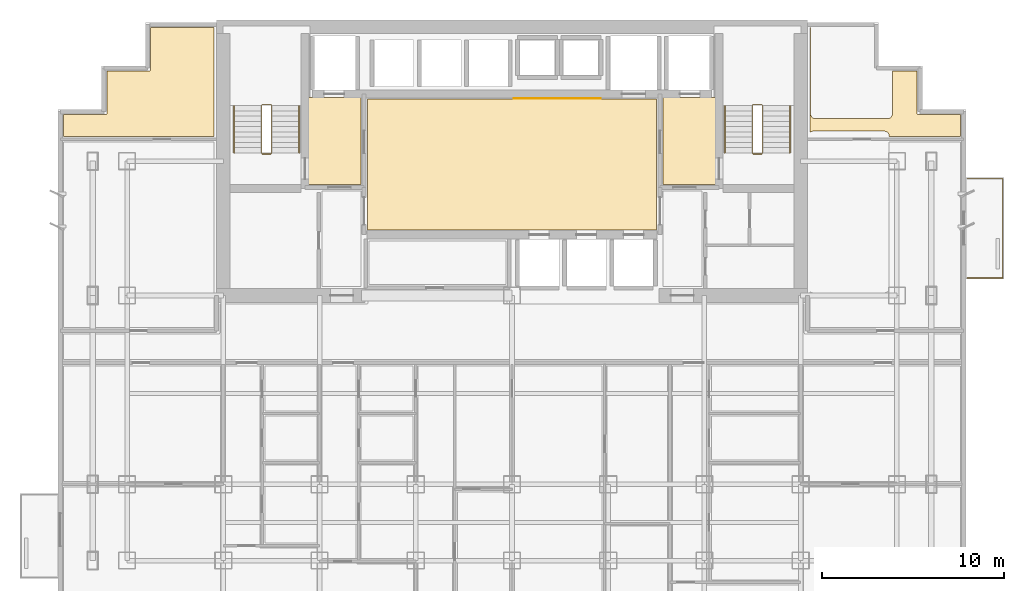
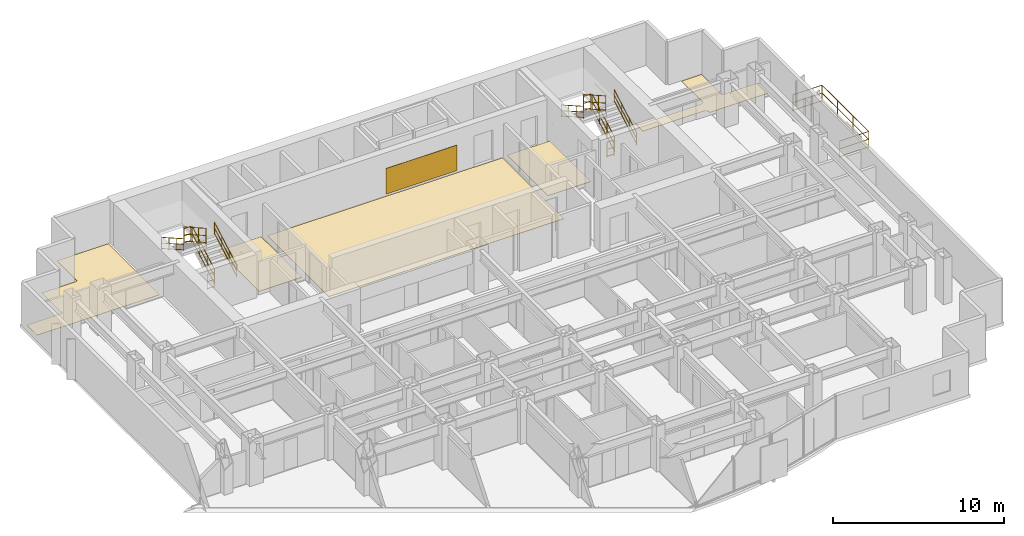
# One storey, part 10 of 10: 13 railings, 6 coverings.
"""IFC4 building model written with IfcOpenShell, lengths in metres."""

from ifc_helpers import new_model, si_unit, direction, frame, origin, origin_2d, place, context, subcontext, project, spatial, polyline, circle, outline, extrude, material, layer, layer_set, type_object, element, save


model = new_model("IFC4")

# Units and contexts
model_context = context("Model", 3, precision=1e-05, world=origin(), true_north=direction((0.0, 1.0)))
body_context = subcontext(model_context, "Body", "Model", "MODEL_VIEW")
ifc_project = project(units=[si_unit("LENGTHUNIT", "METRE"), si_unit("AREAUNIT", "SQUARE_METRE"), si_unit("VOLUMEUNIT", "CUBIC_METRE"), si_unit("PLANEANGLEUNIT", "RADIAN"), si_unit("MASSUNIT", "GRAM", prefix="KILO")], contexts=[model_context])

# Site, building, storey
site_placement = place(None, origin())
site = spatial("IfcSite", under=ifc_project, at=site_placement, CompositionType="ELEMENT")
building_placement = place(site_placement, origin())
building = spatial("IfcBuilding", under=site, at=building_placement, Name="Qianlan Lanfeng Residences", CompositionType="ELEMENT")
storey_placement = place(building_placement, frame((0.0, 0.0, 114.699951171875)))
storey = spatial("IfcBuildingStorey", under=building, at=storey_placement, Name="L31", CompositionType="ELEMENT", Elevation=114.699951171875)

# Coverings
ifc_material_1 = material(Name="Anodised Bronze Feature Wall Cladding")
ifc_layer_1 = layer(ifc_material_1, 0.02490234375)
ifc_layer_set_1 = layer_set([ifc_layer_1], Name="Anodised Bronze Feature Wall Cladding")
covering_type_1 = type_object("IfcCoveringType", Name="CLD-BRZ-25", PredefinedType="CLADDING", material=ifc_layer_set_1)
covering_1_placement = place(storey_placement, frame((0.0, 0.0, 0.150146484375)))
element("IfcCovering", 1, at=covering_1_placement, inside=storey, type_object=covering_type_1, Name="L31 Lift Lobby Bronze Feature Cladding", PredefinedType="CLADDING", context=body_context, shape_type="SweptSolid", body=[
    extrude(outline(polyline([(26.60009765625, 36.050048828125), (31.39990234375, 36.050048828125), (31.39990234375, 36.074951171875), (26.60009765625, 36.074951171875), (26.60009765625, 36.050048828125)])), origin(), (0.0, 0.0, 1.0), 1.829833984375),
])
ifc_material_2 = material(Name="Honed Taitung Granite Stone Flooring", Category="masonry")
ifc_layer_2 = layer(ifc_material_2, 0.030029296875)
ifc_layer_set_2 = layer_set([ifc_layer_2], Name="Honed Taitung Granite Stone Flooring")
covering_type_2 = type_object("IfcCoveringType", Name="FLR-STN-30", PredefinedType="FLOORING", material=ifc_layer_set_2)
covering_2_placement = place(storey_placement, origin())
element("IfcCovering", 2, at=covering_2_placement, inside=storey, type_object=covering_type_2, Name="L31 Firefighting Lift Lobby Floor Finish", PredefinedType="FLOORING", context=body_context, shape_type="SweptSolid", body=[
    extrude(outline(polyline([(15.2900390625, 31.320068359375), (18.179931640625, 31.320068359375), (18.179931640625, 36.110107421875), (15.2900390625, 36.110107421875), (15.2900390625, 31.320068359375)])), origin(), (0.0, 0.0, 1.0), 0.030029296875),
])
covering_3_placement = place(storey_placement, origin())
element("IfcCovering", 3, at=covering_3_placement, inside=storey, type_object=covering_type_2, Name="L31 Firefighting Lift Lobby Floor Finish", PredefinedType="FLOORING", context=body_context, shape_type="SweptSolid", body=[
    extrude(outline(polyline([(34.820068359375, 31.320068359375), (37.7099609375, 31.320068359375), (37.7099609375, 36.110107421875), (34.820068359375, 36.110107421875), (34.820068359375, 31.320068359375)])), origin(), (0.0, 0.0, 1.0), 0.030029296875),
])
covering_4_placement = place(storey_placement, origin())
element("IfcCovering", 4, at=covering_4_placement, inside=storey, type_object=covering_type_2, Name="L31 Lift Lobby Floor Finish", PredefinedType="FLOORING", context=body_context, shape_type="SweptSolid", body=[
    extrude(outline(polyline([(18.550048828125, 28.820068359375), (34.449951171875, 28.820068359375), (34.449951171875, 36.010009765625), (18.550048828125, 36.010009765625), (18.550048828125, 28.820068359375)])), origin(), (0.0, 0.0, 1.0), 0.030029296875),
])
ifc_material_3 = material(Name="Engineered Smoked Oak Timber Flooring", Category="wood")
ifc_layer_3 = layer(ifc_material_3, 0.02197265625)
ifc_layer_set_3 = layer_set([ifc_layer_3], Name="Engineered Smoked Oak Timber Flooring")
covering_type_3 = type_object("IfcCoveringType", Name="FLR-TIM-22", PredefinedType="FLOORING", material=ifc_layer_set_3)
covering_5_placement = place(storey_placement, origin())
element("IfcCovering", 5, at=covering_5_placement, inside=storey, type_object=covering_type_3, Name="L31 Resident Lounge Floor Finish", PredefinedType="FLOORING", context=body_context, shape_type="SweptSolid", body=[
    extrude(outline(polyline([(1.7900390625, 33.949951171875), (10.074951171875, 33.949951171875), (10.074951171875, 39.9599609375), (6.590087890625, 39.9599609375), (6.590087890625, 37.6298828125), (6.590087890625, 37.623046875), (6.589111328125, 37.615966796875), (6.5869140625, 37.610107421875), (6.5849609375, 37.60302734375), (6.58203125, 37.596923828125), (6.577880859375, 37.591064453125), (6.573974609375, 37.5859375), (6.569091796875, 37.5810546875), (6.56396484375, 37.575927734375), (6.55908203125, 37.572021484375), (6.552978515625, 37.568115234375), (6.547119140625, 37.56494140625), (6.5400390625, 37.56298828125), (6.533935546875, 37.56103515625), (6.527099609375, 37.56005859375), (6.52001953125, 37.56005859375), (4.18994140625, 37.56005859375), (4.18994140625, 35.22998046875), (4.18994140625, 35.222900390625), (4.18896484375, 35.216064453125), (4.18701171875, 35.2099609375), (4.18505859375, 35.202880859375), (4.181884765625, 35.197021484375), (4.177978515625, 35.19091796875), (4.174072265625, 35.18603515625), (4.1689453125, 35.180908203125), (4.1640625, 35.176025390625), (4.158935546875, 35.172119140625), (4.153076171875, 35.16796875), (4.14697265625, 35.1650390625), (4.139892578125, 35.1630859375), (4.134033203125, 35.160888671875), (4.126953125, 35.159912109375), (4.1201171875, 35.159912109375), (1.7900390625, 35.159912109375), (1.7900390625, 33.949951171875)])), origin(), (0.0, 0.0, 1.0), 0.02197265625),
])
covering_6_placement = place(storey_placement, origin())
element("IfcCovering", 6, at=covering_6_placement, inside=storey, type_object=covering_type_3, Name="L31 Resident Lounge Floor Finish", PredefinedType="FLOORING", context=body_context, shape_type="SweptSolid", body=[
    extrude(outline(polyline([(42.925048828125, 34.196044921875), (42.94091796875, 34.2080078125), (42.9619140625, 34.219970703125), (42.98388671875, 34.23095703125), (43.007080078125, 34.239013671875), (43.031005859375, 34.2451171875), (43.054931640625, 34.2490234375), (43.080078125, 34.25), (47.02001953125, 34.25), (47.044921875, 34.2490234375), (47.069091796875, 34.2451171875), (47.093017578125, 34.239013671875), (47.115966796875, 34.23095703125), (47.137939453125, 34.219970703125), (47.158935546875, 34.2080078125), (47.178955078125, 34.193115234375), (47.197021484375, 34.177001953125), (47.212890625, 34.158935546875), (47.22802734375, 34.138916015625), (47.239990234375, 34.117919921875), (47.2509765625, 34.095947265625), (47.259033203125, 34.072998046875), (47.264892578125, 34.049072265625), (47.26904296875, 34.02490234375), (47.27001953125, 34.0), (47.27001953125, 33.949951171875), (51.2099609375, 33.949951171875), (51.2099609375, 35.159912109375), (48.8798828125, 35.159912109375), (48.873046875, 35.159912109375), (48.865966796875, 35.160888671875), (48.860107421875, 35.1630859375), (48.85302734375, 35.1650390625), (48.846923828125, 35.16796875), (48.841064453125, 35.172119140625), (48.8359375, 35.176025390625), (48.8310546875, 35.180908203125), (48.825927734375, 35.18603515625), (48.822021484375, 35.19091796875), (48.818115234375, 35.197021484375), (48.81494140625, 35.202880859375), (48.81298828125, 35.2099609375), (48.81103515625, 35.216064453125), (48.81005859375, 35.222900390625), (48.81005859375, 35.22998046875), (48.81005859375, 37.56005859375), (47.449951171875, 37.56005859375), (47.449951171875, 35.199951171875), (47.448974609375, 35.175048828125), (47.445068359375, 35.15087890625), (47.43896484375, 35.126953125), (47.430908203125, 35.10400390625), (47.419921875, 35.08203125), (47.407958984375, 35.06103515625), (47.39306640625, 35.041015625), (47.376953125, 35.02294921875), (47.35888671875, 35.007080078125), (47.339111328125, 34.991943359375), (47.318115234375, 34.97998046875), (47.2958984375, 34.968994140625), (47.27294921875, 34.9609375), (47.2490234375, 34.955078125), (47.22509765625, 34.950927734375), (47.199951171875, 34.949951171875), (43.199951171875, 34.949951171875), (43.175048828125, 34.950927734375), (43.15087890625, 34.955078125), (43.126953125, 34.9609375), (43.10400390625, 34.968994140625), (43.08203125, 34.97998046875), (43.06103515625, 34.991943359375), (43.041015625, 35.007080078125), (43.02294921875, 35.02294921875), (43.007080078125, 35.041015625), (42.991943359375, 35.06103515625), (42.97998046875, 35.08203125), (42.968994140625, 35.10400390625), (42.9609375, 35.126953125), (42.955078125, 35.15087890625), (42.950927734375, 35.175048828125), (42.949951171875, 35.199951171875), (42.949951171875, 39.9599609375), (42.925048828125, 39.9599609375), (42.925048828125, 34.196044921875)])), origin(), (0.0, 0.0, 1.0), 0.02197265625),
])

# Railings
ifc_material_4 = material(Name="Anodised Bronze Aluminium and Laminated Glass Guard Balustrade", Category="aluminium")
railing_type_1 = type_object("IfcRailingType", Name="GR-EXT-1220", PredefinedType="BALUSTRADE", material=ifc_material_4)
railing_1_placement = place(storey_placement, frame((51.570068359375, 31.6298828125, 0.0)))
element("IfcRailing", 7, at=railing_1_placement, inside=storey, type_object=railing_type_1, Name="L31 Terrace Safety Guard GR-L31-EB-N", PredefinedType="BALUSTRADE", context=body_context, shape_type="SweptSolid", body=[
    extrude(circle(Radius=0.02490234375, at=origin_2d()), frame((0.0, 0.0, 0.0849609375), z_axis=(1.0, 0.0, 0.0), x_axis=(0.0, 1.0, 0.0)), (0.0, 0.0, 1.0), 1.9599609375),
    extrude(circle(Radius=0.02490234375, at=origin_2d()), frame((0.0, 0.0, 0.63427734375), z_axis=(1.0, 0.0, 0.0), x_axis=(0.0, 1.0, 0.0)), (0.0, 0.0, 1.0), 1.9599609375),
    extrude(circle(Radius=0.02490234375, at=origin_2d()), frame((0.0, 0.0, 1.19482421875), z_axis=(1.0, 0.0, 0.0), x_axis=(0.0, 1.0, 0.0)), (0.0, 0.0, 1.0), 1.9599609375),
    extrude(circle(Radius=0.02490234375, at=origin_2d()), frame((1.9599609375, 0.0, 0.0849609375), z_axis=(0.0, -1.0, 0.0), x_axis=(1.0, 0.0, 0.0)), (0.0, 0.0, 1.0), 5.4599609375),
    extrude(circle(Radius=0.02490234375, at=origin_2d()), frame((1.9599609375, 0.0, 0.63427734375), z_axis=(0.0, -1.0, 0.0), x_axis=(1.0, 0.0, 0.0)), (0.0, 0.0, 1.0), 5.4599609375),
    extrude(circle(Radius=0.02490234375, at=origin_2d()), frame((1.9599609375, 0.0, 1.19482421875), z_axis=(0.0, -1.0, 0.0), x_axis=(1.0, 0.0, 0.0)), (0.0, 0.0, 1.0), 5.4599609375),
    extrude(circle(Radius=0.02490234375, at=origin_2d()), frame((1.9599609375, -5.4599609375, 0.0849609375), z_axis=(-1.0, 0.0, 0.0), x_axis=(0.0, -1.0, 0.0)), (0.0, 0.0, 1.0), 1.9599609375),
    extrude(circle(Radius=0.02490234375, at=origin_2d()), frame((1.9599609375, -5.4599609375, 0.63427734375), z_axis=(-1.0, 0.0, 0.0), x_axis=(0.0, -1.0, 0.0)), (0.0, 0.0, 1.0), 1.9599609375),
    extrude(circle(Radius=0.02490234375, at=origin_2d()), frame((1.9599609375, -5.4599609375, 1.19482421875), z_axis=(-1.0, 0.0, 0.0), x_axis=(0.0, -1.0, 0.0)), (0.0, 0.0, 1.0), 1.9599609375),
    extrude(circle(Radius=0.02099609375, at=origin_2d()), origin(), (0.0, 0.0, 1.0), 1.169921875),
    extrude(circle(Radius=0.02099609375, at=origin_2d()), frame((1.9599609375, 0.0, 0.0)), (0.0, 0.0, 1.0), 1.169921875),
    extrude(circle(Radius=0.02099609375, at=origin_2d()), frame((1.9599609375, -1.820068359375, 0.0)), (0.0, 0.0, 1.0), 1.169921875),
    extrude(circle(Radius=0.02099609375, at=origin_2d()), frame((1.9599609375, -3.639892578125, 0.0)), (0.0, 0.0, 1.0), 1.169921875),
    extrude(circle(Radius=0.02099609375, at=origin_2d()), frame((1.9599609375, -5.4599609375, 0.0)), (0.0, 0.0, 1.0), 1.169921875),
    extrude(circle(Radius=0.02099609375, at=origin_2d()), frame((0.0, -5.4599609375, 0.0)), (0.0, 0.0, 1.0), 1.169921875),
])
ifc_material_5 = material(Name="Painted Galvanised Steel Guardrail", Category="steel")
railing_type_2 = type_object("IfcRailingType", Name="GR-ST-1120", PredefinedType="GUARDRAIL", material=ifc_material_5)
railing_2_placement = place(storey_placement, frame((13.27001953125, 33.050048828125, 0.1650390625)))
element("IfcRailing", 8, at=railing_2_placement, inside=storey, type_object=railing_type_2, Name="L31 ST-1 stair guard 1", PredefinedType="GUARDRAIL", context=body_context, shape_type="SweptSolid", body=[
    extrude(circle(Radius=0.02392578125, at=origin_2d()), frame((0.0, 0.0, 0.083984375), z_axis=(0.0, 0.869137319866, 0.494570843475), x_axis=(-1.0, 0.0, 0.0)), (0.0, 0.0, 1.0), 3.0029296875),
    extrude(circle(Radius=0.02392578125, at=origin_2d()), frame((0.0, 0.0, 0.58251953125), z_axis=(0.0, 0.869137319866, 0.494570843475), x_axis=(-1.0, 0.0, 0.0)), (0.0, 0.0, 1.0), 3.0029296875),
    extrude(circle(Radius=0.02392578125, at=origin_2d()), frame((0.0, 0.0, 1.09619140625), z_axis=(0.0, 0.869137319866, 0.494570843475), x_axis=(-1.0, 0.0, 0.0)), (0.0, 0.0, 1.0), 3.0029296875),
    extrude(circle(Radius=0.02099609375, at=origin_2d()), origin(), (0.0, 0.0, 1.0), 1.072021484375),
    extrude(circle(Radius=0.02099609375, at=origin_2d()), frame((0.0, 0.869873046875, 0.4951171875)), (0.0, 0.0, 1.0), 1.072021484375),
    extrude(circle(Radius=0.02099609375, at=origin_2d()), frame((0.0, 1.739990234375, 0.989990234375)), (0.0, 0.0, 1.0), 1.072021484375),
    extrude(circle(Radius=0.02099609375, at=origin_2d()), frame((0.0, 2.60986328125, 1.485107421875)), (0.0, 0.0, 1.0), 1.072021484375),
])
railing_3_placement = place(storey_placement, frame((13.219970703125, 35.7099609375, 1.650146484375)))
element("IfcRailing", 9, at=railing_3_placement, inside=storey, type_object=railing_type_2, Name="L31 ST-1 stair guard 2", PredefinedType="GUARDRAIL", context=body_context, shape_type="SweptSolid", body=[
    extrude(circle(Radius=0.02392578125, at=origin_2d()), frame((0.0, 0.0, 0.083984375), z_axis=(-1.0, 0.0, 0.0), x_axis=(0.0, -1.0, 0.0)), (0.0, 0.0, 1.0), 0.47998046875),
    extrude(circle(Radius=0.02392578125, at=origin_2d()), frame((0.0, 0.0, 0.58251953125), z_axis=(-1.0, 0.0, 0.0), x_axis=(0.0, -1.0, 0.0)), (0.0, 0.0, 1.0), 0.47998046875),
    extrude(circle(Radius=0.02392578125, at=origin_2d()), frame((0.0, 0.0, 1.09619140625), z_axis=(-1.0, 0.0, 0.0), x_axis=(0.0, -1.0, 0.0)), (0.0, 0.0, 1.0), 0.47998046875),
    extrude(circle(Radius=0.02099609375, at=origin_2d()), origin(), (0.0, 0.0, 1.0), 1.072021484375),
    extrude(circle(Radius=0.02099609375, at=origin_2d()), frame((-0.47998046875, 0.0, 0.0)), (0.0, 0.0, 1.0), 1.072021484375),
])
railing_4_placement = place(storey_placement, frame((12.68994140625, 35.659912109375, 1.81494140625)))
element("IfcRailing", 10, at=railing_4_placement, inside=storey, type_object=railing_type_2, Name="L31 ST-1 stair guard 3", PredefinedType="GUARDRAIL", context=body_context, shape_type="SweptSolid", body=[
    extrude(circle(Radius=0.02392578125, at=origin_2d()), frame((0.0, 0.0, 0.083984375), z_axis=(0.0, -0.869137319866, 0.494570843475), x_axis=(1.0, 0.0, 0.0)), (0.0, 0.0, 1.0), 3.0029296875),
    extrude(circle(Radius=0.02392578125, at=origin_2d()), frame((0.0, 0.0, 0.58251953125), z_axis=(0.0, -0.869137319866, 0.494570843475), x_axis=(1.0, 0.0, 0.0)), (0.0, 0.0, 1.0), 3.0029296875),
    extrude(circle(Radius=0.02392578125, at=origin_2d()), frame((0.0, 0.0, 1.09619140625), z_axis=(0.0, -0.869137319866, 0.494570843475), x_axis=(1.0, 0.0, 0.0)), (0.0, 0.0, 1.0), 3.0029296875),
    extrude(circle(Radius=0.02099609375, at=origin_2d()), origin(), (0.0, 0.0, 1.0), 1.072021484375),
    extrude(circle(Radius=0.02099609375, at=origin_2d()), frame((0.0, -0.869873046875, 0.4951171875)), (0.0, 0.0, 1.0), 1.072021484375),
    extrude(circle(Radius=0.02099609375, at=origin_2d()), frame((0.0, -1.739990234375, 0.989990234375)), (0.0, 0.0, 1.0), 1.072021484375),
    extrude(circle(Radius=0.02099609375, at=origin_2d()), frame((0.0, -2.60986328125, 1.485107421875)), (0.0, 0.0, 1.0), 1.072021484375),
])
railing_5_placement = place(storey_placement, frame((13.219970703125, 33.0, 0.0)))
element("IfcRailing", 11, at=railing_5_placement, inside=storey, type_object=railing_type_2, Name="L31 ST-1 stair guard 4", PredefinedType="GUARDRAIL", context=body_context, shape_type="SweptSolid", body=[
    extrude(circle(Radius=0.02392578125, at=origin_2d()), frame((0.0, 0.0, 0.083984375), z_axis=(-1.0, 0.0, 0.0), x_axis=(0.0, -1.0, 0.0)), (0.0, 0.0, 1.0), 0.47998046875),
    extrude(circle(Radius=0.02392578125, at=origin_2d()), frame((0.0, 0.0, 0.58251953125), z_axis=(-1.0, 0.0, 0.0), x_axis=(0.0, -1.0, 0.0)), (0.0, 0.0, 1.0), 0.47998046875),
    extrude(circle(Radius=0.02392578125, at=origin_2d()), frame((0.0, 0.0, 1.09619140625), z_axis=(-1.0, 0.0, 0.0), x_axis=(0.0, -1.0, 0.0)), (0.0, 0.0, 1.0), 0.47998046875),
    extrude(circle(Radius=0.02099609375, at=origin_2d()), origin(), (0.0, 0.0, 1.0), 1.072021484375),
    extrude(circle(Radius=0.02099609375, at=origin_2d()), frame((-0.47998046875, 0.0, 0.0)), (0.0, 0.0, 1.0), 1.072021484375),
])
railing_6_placement = place(storey_placement, frame((40.31005859375, 33.050048828125, 0.1650390625)))
element("IfcRailing", 12, at=railing_6_placement, inside=storey, type_object=railing_type_2, Name="L31 ST-2 stair guard 1", PredefinedType="GUARDRAIL", context=body_context, shape_type="SweptSolid", body=[
    extrude(circle(Radius=0.02392578125, at=origin_2d()), frame((0.0, 0.0, 0.083984375), z_axis=(0.0, 0.869137319866, 0.494570843475), x_axis=(-1.0, 0.0, 0.0)), (0.0, 0.0, 1.0), 3.0029296875),
    extrude(circle(Radius=0.02392578125, at=origin_2d()), frame((0.0, 0.0, 0.58251953125), z_axis=(0.0, 0.869137319866, 0.494570843475), x_axis=(-1.0, 0.0, 0.0)), (0.0, 0.0, 1.0), 3.0029296875),
    extrude(circle(Radius=0.02392578125, at=origin_2d()), frame((0.0, 0.0, 1.09619140625), z_axis=(0.0, 0.869137319866, 0.494570843475), x_axis=(-1.0, 0.0, 0.0)), (0.0, 0.0, 1.0), 3.0029296875),
    extrude(circle(Radius=0.02099609375, at=origin_2d()), origin(), (0.0, 0.0, 1.0), 1.072021484375),
    extrude(circle(Radius=0.02099609375, at=origin_2d()), frame((0.0, 0.869873046875, 0.4951171875)), (0.0, 0.0, 1.0), 1.072021484375),
    extrude(circle(Radius=0.02099609375, at=origin_2d()), frame((0.0, 1.739990234375, 0.989990234375)), (0.0, 0.0, 1.0), 1.072021484375),
    extrude(circle(Radius=0.02099609375, at=origin_2d()), frame((0.0, 2.60986328125, 1.485107421875)), (0.0, 0.0, 1.0), 1.072021484375),
])
railing_7_placement = place(storey_placement, frame((40.260009765625, 35.7099609375, 1.650146484375)))
element("IfcRailing", 13, at=railing_7_placement, inside=storey, type_object=railing_type_2, Name="L31 ST-2 stair guard 2", PredefinedType="GUARDRAIL", context=body_context, shape_type="SweptSolid", body=[
    extrude(circle(Radius=0.02392578125, at=origin_2d()), frame((0.0, 0.0, 0.083984375), z_axis=(-1.0, 0.0, 0.0), x_axis=(0.0, -1.0, 0.0)), (0.0, 0.0, 1.0), 0.47998046875),
    extrude(circle(Radius=0.02392578125, at=origin_2d()), frame((0.0, 0.0, 0.58251953125), z_axis=(-1.0, 0.0, 0.0), x_axis=(0.0, -1.0, 0.0)), (0.0, 0.0, 1.0), 0.47998046875),
    extrude(circle(Radius=0.02392578125, at=origin_2d()), frame((0.0, 0.0, 1.09619140625), z_axis=(-1.0, 0.0, 0.0), x_axis=(0.0, -1.0, 0.0)), (0.0, 0.0, 1.0), 0.47998046875),
    extrude(circle(Radius=0.02099609375, at=origin_2d()), origin(), (0.0, 0.0, 1.0), 1.072021484375),
    extrude(circle(Radius=0.02099609375, at=origin_2d()), frame((-0.47998046875, 0.0, 0.0)), (0.0, 0.0, 1.0), 1.072021484375),
])
railing_8_placement = place(storey_placement, frame((39.72998046875, 35.659912109375, 1.81494140625)))
element("IfcRailing", 14, at=railing_8_placement, inside=storey, type_object=railing_type_2, Name="L31 ST-2 stair guard 3", PredefinedType="GUARDRAIL", context=body_context, shape_type="SweptSolid", body=[
    extrude(circle(Radius=0.02392578125, at=origin_2d()), frame((0.0, 0.0, 0.083984375), z_axis=(0.0, -0.869137319866, 0.494570843475), x_axis=(1.0, 0.0, 0.0)), (0.0, 0.0, 1.0), 3.0029296875),
    extrude(circle(Radius=0.02392578125, at=origin_2d()), frame((0.0, 0.0, 0.58251953125), z_axis=(0.0, -0.869137319866, 0.494570843475), x_axis=(1.0, 0.0, 0.0)), (0.0, 0.0, 1.0), 3.0029296875),
    extrude(circle(Radius=0.02392578125, at=origin_2d()), frame((0.0, 0.0, 1.09619140625), z_axis=(0.0, -0.869137319866, 0.494570843475), x_axis=(1.0, 0.0, 0.0)), (0.0, 0.0, 1.0), 3.0029296875),
    extrude(circle(Radius=0.02099609375, at=origin_2d()), origin(), (0.0, 0.0, 1.0), 1.072021484375),
    extrude(circle(Radius=0.02099609375, at=origin_2d()), frame((0.0, -0.869873046875, 0.4951171875)), (0.0, 0.0, 1.0), 1.072021484375),
    extrude(circle(Radius=0.02099609375, at=origin_2d()), frame((0.0, -1.739990234375, 0.989990234375)), (0.0, 0.0, 1.0), 1.072021484375),
    extrude(circle(Radius=0.02099609375, at=origin_2d()), frame((0.0, -2.60986328125, 1.485107421875)), (0.0, 0.0, 1.0), 1.072021484375),
])
railing_9_placement = place(storey_placement, frame((40.260009765625, 33.0, 0.0)))
element("IfcRailing", 15, at=railing_9_placement, inside=storey, type_object=railing_type_2, Name="L31 ST-2 stair guard 4", PredefinedType="GUARDRAIL", context=body_context, shape_type="SweptSolid", body=[
    extrude(circle(Radius=0.02392578125, at=origin_2d()), frame((0.0, 0.0, 0.083984375), z_axis=(-1.0, 0.0, 0.0), x_axis=(0.0, -1.0, 0.0)), (0.0, 0.0, 1.0), 0.47998046875),
    extrude(circle(Radius=0.02392578125, at=origin_2d()), frame((0.0, 0.0, 0.58251953125), z_axis=(-1.0, 0.0, 0.0), x_axis=(0.0, -1.0, 0.0)), (0.0, 0.0, 1.0), 0.47998046875),
    extrude(circle(Radius=0.02392578125, at=origin_2d()), frame((0.0, 0.0, 1.09619140625), z_axis=(-1.0, 0.0, 0.0), x_axis=(0.0, -1.0, 0.0)), (0.0, 0.0, 1.0), 0.47998046875),
    extrude(circle(Radius=0.02099609375, at=origin_2d()), origin(), (0.0, 0.0, 1.0), 1.072021484375),
    extrude(circle(Radius=0.02099609375, at=origin_2d()), frame((-0.47998046875, 0.0, 0.0)), (0.0, 0.0, 1.0), 1.072021484375),
])
ifc_material_6 = material(Name="Brushed Stainless Steel Handrail", Category="steel")
railing_type_3 = type_object("IfcRailingType", Name="HR-ST-920", PredefinedType="HANDRAIL", material=ifc_material_6)
railing_10_placement = place(storey_placement, frame((14.77001953125, 33.050048828125, 0.1650390625)))
element("IfcRailing", 16, at=railing_10_placement, inside=storey, type_object=railing_type_3, Name="L31 ST-1 stair handrail 1", PredefinedType="HANDRAIL", context=body_context, shape_type="SweptSolid", body=[
    extrude(circle(Radius=0.02392578125, at=origin_2d()), frame((0.0, 0.0, 0.083984375), z_axis=(0.0, 0.869137319866, 0.494570843475), x_axis=(-1.0, 0.0, 0.0)), (0.0, 0.0, 1.0), 3.0029296875),
    extrude(circle(Radius=0.02392578125, at=origin_2d()), frame((0.0, 0.0, 0.468017578125), z_axis=(0.0, 0.869137319866, 0.494570843475), x_axis=(-1.0, 0.0, 0.0)), (0.0, 0.0, 1.0), 3.0029296875),
    extrude(circle(Radius=0.02392578125, at=origin_2d()), frame((0.0, 0.0, 0.8759765625), z_axis=(0.0, 0.869137319866, 0.494570843475), x_axis=(-1.0, 0.0, 0.0)), (0.0, 0.0, 1.0), 3.0029296875),
    extrude(circle(Radius=0.02099609375, at=origin_2d()), origin(), (0.0, 0.0, 1.0), 0.851806640625),
    extrude(circle(Radius=0.02099609375, at=origin_2d()), frame((0.0, 0.869873046875, 0.4951171875)), (0.0, 0.0, 1.0), 0.851806640625),
    extrude(circle(Radius=0.02099609375, at=origin_2d()), frame((0.0, 1.739990234375, 0.989990234375)), (0.0, 0.0, 1.0), 0.851806640625),
    extrude(circle(Radius=0.02099609375, at=origin_2d()), frame((0.0, 2.60986328125, 1.485107421875)), (0.0, 0.0, 1.0), 0.851806640625),
])
railing_11_placement = place(storey_placement, frame((11.18994140625, 35.659912109375, 1.81494140625)))
element("IfcRailing", 17, at=railing_11_placement, inside=storey, type_object=railing_type_3, Name="L31 ST-1 stair handrail 2", PredefinedType="HANDRAIL", context=body_context, shape_type="SweptSolid", body=[
    extrude(circle(Radius=0.02392578125, at=origin_2d()), frame((0.0, 0.0, 0.083984375), z_axis=(0.0, -0.869137319866, 0.494570843475), x_axis=(1.0, 0.0, 0.0)), (0.0, 0.0, 1.0), 3.0029296875),
    extrude(circle(Radius=0.02392578125, at=origin_2d()), frame((0.0, 0.0, 0.468017578125), z_axis=(0.0, -0.869137319866, 0.494570843475), x_axis=(1.0, 0.0, 0.0)), (0.0, 0.0, 1.0), 3.0029296875),
    extrude(circle(Radius=0.02392578125, at=origin_2d()), frame((0.0, 0.0, 0.8759765625), z_axis=(0.0, -0.869137319866, 0.494570843475), x_axis=(1.0, 0.0, 0.0)), (0.0, 0.0, 1.0), 3.0029296875),
    extrude(circle(Radius=0.02099609375, at=origin_2d()), origin(), (0.0, 0.0, 1.0), 0.851806640625),
    extrude(circle(Radius=0.02099609375, at=origin_2d()), frame((0.0, -0.869873046875, 0.4951171875)), (0.0, 0.0, 1.0), 0.851806640625),
    extrude(circle(Radius=0.02099609375, at=origin_2d()), frame((0.0, -1.739990234375, 0.989990234375)), (0.0, 0.0, 1.0), 0.851806640625),
    extrude(circle(Radius=0.02099609375, at=origin_2d()), frame((0.0, -2.60986328125, 1.485107421875)), (0.0, 0.0, 1.0), 0.851806640625),
])
railing_12_placement = place(storey_placement, frame((41.81005859375, 33.050048828125, 0.1650390625)))
element("IfcRailing", 18, at=railing_12_placement, inside=storey, type_object=railing_type_3, Name="L31 ST-2 stair handrail 1", PredefinedType="HANDRAIL", context=body_context, shape_type="SweptSolid", body=[
    extrude(circle(Radius=0.02392578125, at=origin_2d()), frame((0.0, 0.0, 0.083984375), z_axis=(0.0, 0.869137319866, 0.494570843475), x_axis=(-1.0, 0.0, 0.0)), (0.0, 0.0, 1.0), 3.0029296875),
    extrude(circle(Radius=0.02392578125, at=origin_2d()), frame((0.0, 0.0, 0.468017578125), z_axis=(0.0, 0.869137319866, 0.494570843475), x_axis=(-1.0, 0.0, 0.0)), (0.0, 0.0, 1.0), 3.0029296875),
    extrude(circle(Radius=0.02392578125, at=origin_2d()), frame((0.0, 0.0, 0.8759765625), z_axis=(0.0, 0.869137319866, 0.494570843475), x_axis=(-1.0, 0.0, 0.0)), (0.0, 0.0, 1.0), 3.0029296875),
    extrude(circle(Radius=0.02099609375, at=origin_2d()), origin(), (0.0, 0.0, 1.0), 0.851806640625),
    extrude(circle(Radius=0.02099609375, at=origin_2d()), frame((0.0, 0.869873046875, 0.4951171875)), (0.0, 0.0, 1.0), 0.851806640625),
    extrude(circle(Radius=0.02099609375, at=origin_2d()), frame((0.0, 1.739990234375, 0.989990234375)), (0.0, 0.0, 1.0), 0.851806640625),
    extrude(circle(Radius=0.02099609375, at=origin_2d()), frame((0.0, 2.60986328125, 1.485107421875)), (0.0, 0.0, 1.0), 0.851806640625),
])
railing_13_placement = place(storey_placement, frame((38.22998046875, 35.659912109375, 1.81494140625)))
element("IfcRailing", 19, at=railing_13_placement, inside=storey, type_object=railing_type_3, Name="L31 ST-2 stair handrail 2", PredefinedType="HANDRAIL", context=body_context, shape_type="SweptSolid", body=[
    extrude(circle(Radius=0.02392578125, at=origin_2d()), frame((0.0, 0.0, 0.083984375), z_axis=(0.0, -0.869137319866, 0.494570843475), x_axis=(1.0, 0.0, 0.0)), (0.0, 0.0, 1.0), 3.0029296875),
    extrude(circle(Radius=0.02392578125, at=origin_2d()), frame((0.0, 0.0, 0.468017578125), z_axis=(0.0, -0.869137319866, 0.494570843475), x_axis=(1.0, 0.0, 0.0)), (0.0, 0.0, 1.0), 3.0029296875),
    extrude(circle(Radius=0.02392578125, at=origin_2d()), frame((0.0, 0.0, 0.8759765625), z_axis=(0.0, -0.869137319866, 0.494570843475), x_axis=(1.0, 0.0, 0.0)), (0.0, 0.0, 1.0), 3.0029296875),
    extrude(circle(Radius=0.02099609375, at=origin_2d()), origin(), (0.0, 0.0, 1.0), 0.851806640625),
    extrude(circle(Radius=0.02099609375, at=origin_2d()), frame((0.0, -0.869873046875, 0.4951171875)), (0.0, 0.0, 1.0), 0.851806640625),
    extrude(circle(Radius=0.02099609375, at=origin_2d()), frame((0.0, -1.739990234375, 0.989990234375)), (0.0, 0.0, 1.0), 0.851806640625),
    extrude(circle(Radius=0.02099609375, at=origin_2d()), frame((0.0, -2.60986328125, 1.485107421875)), (0.0, 0.0, 1.0), 0.851806640625),
])

save(model, "model.ifc")
